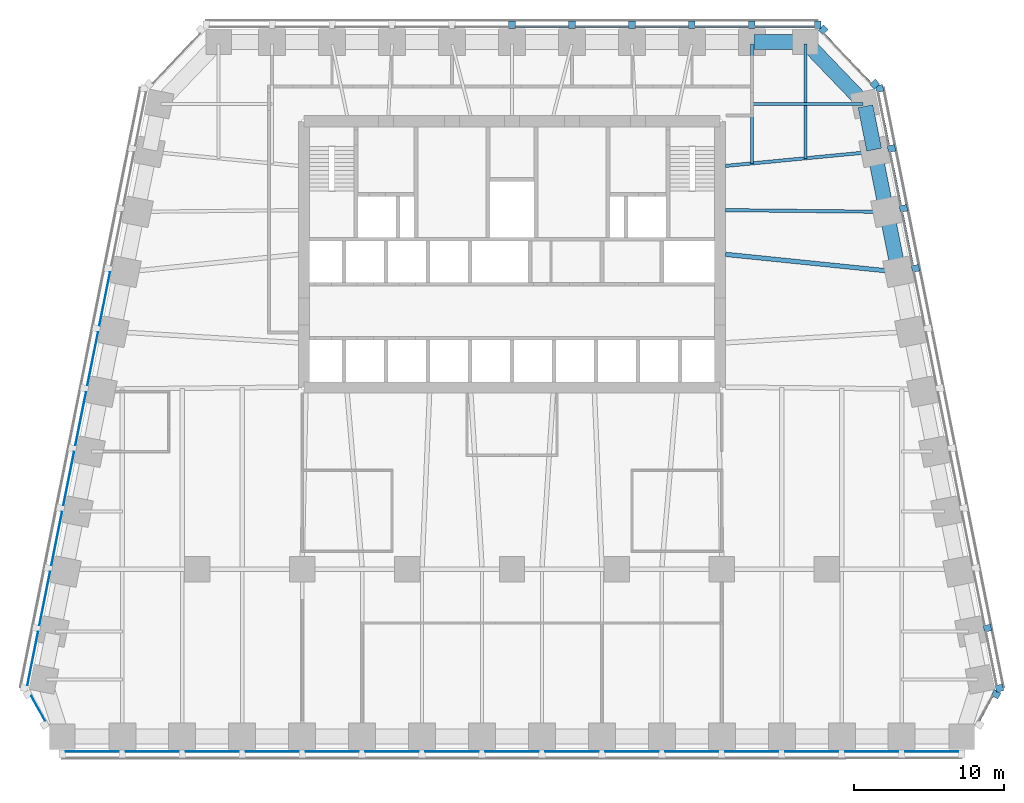
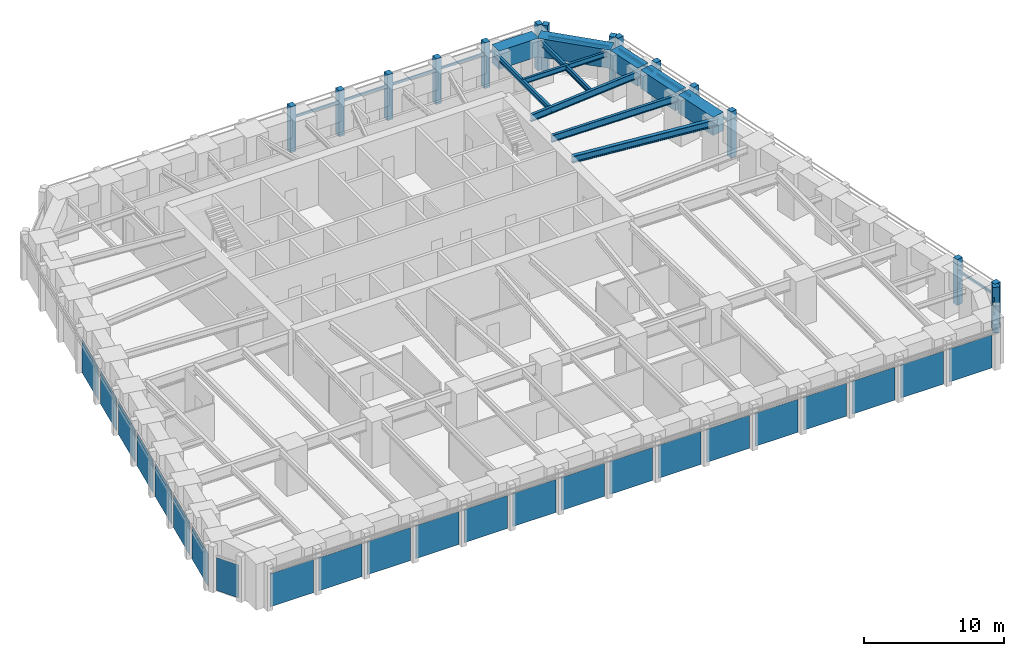
# One storey, part 4 of 9: 26 members, 23 plates, 11 beams, 7 elements without a shape of their own.
"""IFC4 building model written with IfcOpenShell, lengths in metres."""

from ifc_helpers import new_model, si_unit, direction, frame, origin, origin_2d, place, context, subcontext, project, spatial, rectangle, i_section, extrude, material, layer, layer_set, material_profile, profile_set, type_object, element, aggregate, save


model = new_model("IFC4")

# Units and contexts
model_context = context("Model", 3, precision=1e-05, world=origin(), true_north=direction((0.0, 1.0)))
body_context = subcontext(model_context, "Body", "Model", "MODEL_VIEW")
ifc_project = project(units=[si_unit("LENGTHUNIT", "METRE"), si_unit("AREAUNIT", "SQUARE_METRE"), si_unit("VOLUMEUNIT", "CUBIC_METRE"), si_unit("PLANEANGLEUNIT", "RADIAN"), si_unit("MASSUNIT", "GRAM", prefix="KILO")], contexts=[model_context])

# Site, building, storey
site_placement = place(None, origin())
site = spatial("IfcSite", under=ifc_project, at=site_placement, CompositionType="ELEMENT")
building_placement = place(site_placement, origin())
building = spatial("IfcBuilding", under=site, at=building_placement, Name="Isbrekke Arena Tower", CompositionType="ELEMENT")
storey_placement = place(building_placement, frame((0.0, 0.0, 135.0)))
storey = spatial("IfcBuildingStorey", under=building, at=storey_placement, Name="L30", CompositionType="ELEMENT", Elevation=135.0)

# Beams
ifc_material_1 = material(Name="Steel S355", Category="steel")
ifc_material_profile_1 = material_profile(ifc_material_1, i_section(OverallWidth=0.219970703125, OverallDepth=0.60009765625, WebThickness=0.011962890625, FlangeThickness=0.01904296875, FilletRadius=0.02392578125, at=origin_2d()), Name="IPE 600")
ifc_profile_set_1 = profile_set([ifc_material_profile_1], Name="Steel S355")
beam_type_1 = type_object("IfcBeamType", Name="B1 IPE 600", PredefinedType="BEAM", material=ifc_profile_set_1)
beam_1_placement = place(storey_placement, frame((24.83984375, 17.838134765625, 3.550048828125), z_axis=(-0.999944260169, 0.010558245831, 0.0), x_axis=(-0.010558245831, -0.999944260169, 0.0)))
element("IfcBeam", 1, at=beam_1_placement, inside=storey, type_object=beam_type_1, Name="B1 beam E-E09 L30", PredefinedType="BEAM", context=body_context, shape_type="SweptSolid", body=[
    extrude(i_section(OverallWidth=0.219970703125, OverallDepth=0.60009765625, WebThickness=0.011962890625, FlangeThickness=0.01904296875, FilletRadius=0.02392578125, at=origin_2d()), origin(), (0.0, 0.0, 1.0), 10.59033203125),
])
beam_2_placement = place(storey_placement, frame((24.030517578125, 21.837158203125, 3.550048828125), z_axis=(-0.995439798606, -0.095391862082, 0.0), x_axis=(0.095391862082, -0.995439798606, 0.0)))
element("IfcBeam", 2, at=beam_2_placement, inside=storey, type_object=beam_type_1, Name="B1 beam E-E10 L30", PredefinedType="BEAM", context=body_context, shape_type="SweptSolid", body=[
    extrude(i_section(OverallWidth=0.219970703125, OverallDepth=0.60009765625, WebThickness=0.011962890625, FlangeThickness=0.01904296875, FilletRadius=0.02392578125, at=origin_2d()), origin(), (0.0, 0.0, 1.0), 9.825439453125),
])
ifc_material_2 = material(Name="Steel S355", Category="steel")
ifc_material_profile_2 = material_profile(ifc_material_2, i_section(OverallWidth=0.18994140625, OverallDepth=0.449951171875, WebThickness=0.009521484375, FlangeThickness=0.0146484375, FilletRadius=0.02099609375, at=origin_2d()), Name="IPE 450")
ifc_profile_set_2 = profile_set([ifc_material_profile_2], Name="Steel S355")
beam_type_2 = type_object("IfcBeamType", Name="B2 IPE 450", PredefinedType="BEAM", material=ifc_profile_set_2)
beam_3_placement = place(storey_placement, frame((23.40283203125, 25.029296875, 3.625), z_axis=(-1.0, 0.0, 0.0), x_axis=(0.0, -1.0, 0.0)))
element("IfcBeam", 3, at=beam_3_placement, inside=storey, type_object=beam_type_2, Name="B2 beam E-E11 L30", PredefinedType="BEAM", context=body_context, shape_type="SweptSolid", body=[
    extrude(i_section(OverallWidth=0.18994140625, OverallDepth=0.449951171875, WebThickness=0.009521484375, FlangeThickness=0.0146484375, FilletRadius=0.02099609375, at=origin_2d()), origin(), (0.0, 0.0, 1.0), 7.40283203125),
])
ifc_material_3 = material(Name="Steel S355", Category="steel")
ifc_material_profile_3 = material_profile(ifc_material_3, i_section(OverallWidth=0.18994140625, OverallDepth=0.449951171875, WebThickness=0.009521484375, FlangeThickness=0.0146484375, FilletRadius=0.02099609375, at=origin_2d()), Name="IPE 450")
ifc_profile_set_3 = profile_set([ifc_material_profile_3], Name="Steel S355")
beam_type_3 = type_object("IfcBeamType", Name="B3 IPE 450", PredefinedType="BEAM", material=ifc_profile_set_3)
beam_4_placement = place(storey_placement, frame((19.574951171875, 29.02490234375, 3.625), z_axis=(0.0, -1.0, 0.0), x_axis=(1.0, 0.0, 0.0)))
element("IfcBeam", 4, at=beam_4_placement, inside=storey, type_object=beam_type_3, Name="B3 beam N-N01 L30", PredefinedType="BEAM", context=body_context, shape_type="SweptSolid", body=[
    extrude(i_section(OverallWidth=0.18994140625, OverallDepth=0.449951171875, WebThickness=0.009521484375, FlangeThickness=0.0146484375, FilletRadius=0.02099609375, at=origin_2d()), origin(), (0.0, 0.0, 1.0), 7.61474609375),
])
beam_5_placement = place(storey_placement, frame((16.0, 29.02490234375, 3.625), z_axis=(0.0, -1.0, 0.0), x_axis=(1.0, 0.0, 0.0)))
element("IfcBeam", 5, at=beam_5_placement, inside=storey, type_object=beam_type_3, Name="B3 beam N-N02 L30", PredefinedType="BEAM", context=body_context, shape_type="SweptSolid", body=[
    extrude(i_section(OverallWidth=0.18994140625, OverallDepth=0.449951171875, WebThickness=0.009521484375, FlangeThickness=0.0146484375, FilletRadius=0.02099609375, at=origin_2d()), origin(), (0.0, 0.0, 1.0), 7.957275390625),
])
ifc_material_4 = material(Name="Steel S355", Category="steel")
ifc_material_profile_4 = material_profile(ifc_material_4, i_section(OverallWidth=0.300048828125, OverallDepth=0.60009765625, WebThickness=0.015380859375, FlangeThickness=0.030029296875, FilletRadius=0.027099609375, at=origin_2d()), Name="HEB 600")
ifc_profile_set_4 = profile_set([ifc_material_profile_4], Name="Steel S355")
beam_type_4 = type_object("IfcBeamType", Name="B7 HEB 600", PredefinedType="BEAM", material=ifc_profile_set_4)
beam_6_placement = place(storey_placement, frame((25.6259765625, 13.83984375, 3.550048828125), z_axis=(-0.994839949319, 0.10145676537, 0.0), x_axis=(-0.10145676537, -0.994839949319, 0.0)))
element("IfcBeam", 6, at=beam_6_placement, inside=storey, type_object=beam_type_4, Name="B7 beam E-E08 L30", PredefinedType="BEAM", context=body_context, shape_type="SweptSolid", body=[
    extrude(i_section(OverallWidth=0.300048828125, OverallDepth=0.60009765625, WebThickness=0.015380859375, FlangeThickness=0.030029296875, FilletRadius=0.027099609375, at=origin_2d()), origin(), (0.0, 0.0, 1.0), 11.43505859375),
])

# Curtain wall, member
ifc_material_5 = material(Name="Glazed aluminium curtain wall", Category="aluminium")
curtain_wall_type = type_object("IfcCurtainWallType", Name="CWM TOWER CURTAIN WALL MID ZONE", PredefinedType="USERDEFINED", material=ifc_material_5)
curtain_wall_1_placement = place(storey_placement, origin())
curtain_wall_1 = element("IfcCurtainWall", 7, at=curtain_wall_1_placement, inside=storey, type_object=curtain_wall_type, Name="CWM curtain wall L30-SE", ObjectType="TOWER CURTAIN WALL MID ZONE", PredefinedType="USERDEFINED")
ifc_material_6 = material(Name="Aluminium mullion, pale brick slip cladding", Category="masonry")
ifc_material_profile_5 = material_profile(ifc_material_6, rectangle(XDim=0.449951171875, YDim=0.5, at=origin_2d()), Name="PIER 450X500")
ifc_profile_set_5 = profile_set([ifc_material_profile_5], Name="Aluminium mullion, pale brick slip cladding")
member_type_1 = type_object("IfcMemberType", Name="CWM-M PIER MULLION 450 x 500", PredefinedType="MULLION", material=ifc_profile_set_5)
member_1_placement = place(storey_placement, frame((32.296142578125, -14.34375, 0.0), z_axis=(0.0, 0.0, 1.0), x_axis=(0.481918749773, 0.876215908676, 0.0)))
member_1 = element("IfcMember", 8, at=member_1_placement, type_object=member_type_1, Name="CWM-M mullion 2", PredefinedType="MULLION", context=body_context, shape_type="SweptSolid", body=[
    extrude(rectangle(XDim=0.449951171875, YDim=0.5, at=origin_2d()), origin(), (0.0, 0.0, 1.0), 4.0),
])

# Curtain wall, members
curtain_wall_2_placement = place(storey_placement, origin())
curtain_wall_2 = element("IfcCurtainWall", 9, at=curtain_wall_2_placement, inside=storey, type_object=curtain_wall_type, Name="CWM curtain wall L30-E", ObjectType="TOWER CURTAIN WALL MID ZONE", PredefinedType="USERDEFINED")
member_2_placement = place(storey_placement, frame((32.518798828125, -13.936279296875, 0.0), z_axis=(0.0, 0.0, 1.0), x_axis=(-0.196116135138, 0.980580675691, 0.0)))
member_2 = element("IfcMember", 10, at=member_2_placement, type_object=member_type_1, Name="CWM-M mullion 1", PredefinedType="MULLION", context=body_context, shape_type="SweptSolid", body=[
    extrude(rectangle(XDim=0.449951171875, YDim=0.5, at=origin_2d()), origin(), (0.0, 0.0, 1.0), 4.0),
])
member_3_placement = place(storey_placement, frame((31.71875, -9.936279296875, 0.0), z_axis=(0.0, 0.0, 1.0), x_axis=(-0.196116135138, 0.980580675691, 0.0)))
member_3 = element("IfcMember", 11, at=member_3_placement, type_object=member_type_1, Name="CWM-M mullion 2", PredefinedType="MULLION", context=body_context, shape_type="SweptSolid", body=[
    extrude(rectangle(XDim=0.449951171875, YDim=0.5, at=origin_2d()), origin(), (0.0, 0.0, 1.0), 4.0),
])
member_4_placement = place(storey_placement, frame((26.918701171875, 14.063720703125, 0.0), z_axis=(0.0, 0.0, 1.0), x_axis=(-0.196116135138, 0.980580675691, 0.0)))
member_4 = element("IfcMember", 12, at=member_4_placement, type_object=member_type_1, Name="CWM-M mullion 8", PredefinedType="MULLION", context=body_context, shape_type="SweptSolid", body=[
    extrude(rectangle(XDim=0.449951171875, YDim=0.5, at=origin_2d()), origin(), (0.0, 0.0, 1.0), 4.0),
])
member_5_placement = place(storey_placement, frame((26.11865234375, 18.063720703125, 0.0), z_axis=(0.0, 0.0, 1.0), x_axis=(-0.196116135138, 0.980580675691, 0.0)))
member_5 = element("IfcMember", 13, at=member_5_placement, type_object=member_type_1, Name="CWM-M mullion 9", PredefinedType="MULLION", context=body_context, shape_type="SweptSolid", body=[
    extrude(rectangle(XDim=0.449951171875, YDim=0.5, at=origin_2d()), origin(), (0.0, 0.0, 1.0), 4.0),
])
member_6_placement = place(storey_placement, frame((25.318603515625, 22.063720703125, 0.0), z_axis=(0.0, 0.0, 1.0), x_axis=(-0.196116135138, 0.980580675691, 0.0)))
member_6 = element("IfcMember", 14, at=member_6_placement, type_object=member_type_1, Name="CWM-M mullion 10", PredefinedType="MULLION", context=body_context, shape_type="SweptSolid", body=[
    extrude(rectangle(XDim=0.449951171875, YDim=0.5, at=origin_2d()), origin(), (0.0, 0.0, 1.0), 4.0),
])
member_7_placement = place(storey_placement, frame((24.518798828125, 26.063720703125, 0.0), z_axis=(0.0, 0.0, 1.0), x_axis=(-0.196116135138, 0.980580675691, 0.0)))
member_7 = element("IfcMember", 15, at=member_7_placement, type_object=member_type_1, Name="CWM-M mullion 11", PredefinedType="MULLION", context=body_context, shape_type="SweptSolid", body=[
    extrude(rectangle(XDim=0.449951171875, YDim=0.5, at=origin_2d()), origin(), (0.0, 0.0, 1.0), 4.0),
])

curtain_wall_3_placement = place(storey_placement, origin())
curtain_wall_3 = element("IfcCurtainWall", 16, at=curtain_wall_3_placement, inside=storey, type_object=curtain_wall_type, Name="CWM curtain wall L30-EN", ObjectType="TOWER CURTAIN WALL MID ZONE", PredefinedType="USERDEFINED")
member_8_placement = place(storey_placement, frame((24.208251953125, 26.354248046875, 0.0), z_axis=(0.0, 0.0, 1.0), x_axis=(-0.68874946192, 0.72499943359, 0.0)))
member_8 = element("IfcMember", 17, at=member_8_placement, type_object=member_type_1, Name="CWM-M mullion 1", PredefinedType="MULLION", context=body_context, shape_type="SweptSolid", body=[
    extrude(rectangle(XDim=0.449951171875, YDim=0.5, at=origin_2d()), origin(), (0.0, 0.0, 1.0), 4.0),
])
member_9_placement = place(storey_placement, frame((20.7587890625, 29.9853515625, 0.0), z_axis=(0.0, 0.0, 1.0), x_axis=(-0.68874946192, 0.72499943359, 0.0)))
member_9 = element("IfcMember", 18, at=member_9_placement, type_object=member_type_1, Name="CWM-M mullion 2", PredefinedType="MULLION", context=body_context, shape_type="SweptSolid", body=[
    extrude(rectangle(XDim=0.449951171875, YDim=0.5, at=origin_2d()), origin(), (0.0, 0.0, 1.0), 4.0),
])

curtain_wall_4_placement = place(storey_placement, origin())
curtain_wall_4 = element("IfcCurtainWall", 19, at=curtain_wall_4_placement, inside=storey, type_object=curtain_wall_type, Name="CWM curtain wall L30-N", ObjectType="TOWER CURTAIN WALL MID ZONE", PredefinedType="USERDEFINED")
member_10_placement = place(storey_placement, frame((20.39990234375, 30.324951171875, 0.0), z_axis=(0.0, 0.0, 1.0), x_axis=(-1.0, 0.0, 0.0)))
member_10 = element("IfcMember", 20, at=member_10_placement, type_object=member_type_1, Name="CWM-M mullion 1", PredefinedType="MULLION", context=body_context, shape_type="SweptSolid", body=[
    extrude(rectangle(XDim=0.449951171875, YDim=0.5, at=origin_2d()), origin(), (0.0, 0.0, 1.0), 4.0),
])
member_11_placement = place(storey_placement, frame((16.0, 30.324951171875, 0.0), z_axis=(0.0, 0.0, 1.0), x_axis=(-1.0, 0.0, 0.0)))
member_11 = element("IfcMember", 21, at=member_11_placement, type_object=member_type_1, Name="CWM-M mullion 2", PredefinedType="MULLION", context=body_context, shape_type="SweptSolid", body=[
    extrude(rectangle(XDim=0.449951171875, YDim=0.5, at=origin_2d()), origin(), (0.0, 0.0, 1.0), 4.0),
])
member_12_placement = place(storey_placement, frame((12.0, 30.324951171875, 0.0), z_axis=(0.0, 0.0, 1.0), x_axis=(-1.0, 0.0, 0.0)))
member_12 = element("IfcMember", 22, at=member_12_placement, type_object=member_type_1, Name="CWM-M mullion 3", PredefinedType="MULLION", context=body_context, shape_type="SweptSolid", body=[
    extrude(rectangle(XDim=0.449951171875, YDim=0.5, at=origin_2d()), origin(), (0.0, 0.0, 1.0), 4.0),
])
member_13_placement = place(storey_placement, frame((8.0, 30.324951171875, 0.0), z_axis=(0.0, 0.0, 1.0), x_axis=(-1.0, 0.0, 0.0)))
member_13 = element("IfcMember", 23, at=member_13_placement, type_object=member_type_1, Name="CWM-M mullion 4", PredefinedType="MULLION", context=body_context, shape_type="SweptSolid", body=[
    extrude(rectangle(XDim=0.449951171875, YDim=0.5, at=origin_2d()), origin(), (0.0, 0.0, 1.0), 4.0),
])
member_14_placement = place(storey_placement, frame((4.0, 30.324951171875, 0.0), z_axis=(0.0, 0.0, 1.0), x_axis=(-1.0, 0.0, 0.0)))
member_14 = element("IfcMember", 24, at=member_14_placement, type_object=member_type_1, Name="CWM-M mullion 5", PredefinedType="MULLION", context=body_context, shape_type="SweptSolid", body=[
    extrude(rectangle(XDim=0.449951171875, YDim=0.5, at=origin_2d()), origin(), (0.0, 0.0, 1.0), 4.0),
])
member_15_placement = place(storey_placement, frame((0.0, 30.324951171875, 0.0), z_axis=(0.0, 0.0, 1.0), x_axis=(-1.0, 0.0, 0.0)))
member_15 = element("IfcMember", 25, at=member_15_placement, type_object=member_type_1, Name="CWM-M mullion 6", PredefinedType="MULLION", context=body_context, shape_type="SweptSolid", body=[
    extrude(rectangle(XDim=0.449951171875, YDim=0.5, at=origin_2d()), origin(), (0.0, 0.0, 1.0), 4.0),
])

# Member
ifc_material_7 = material(Name="Aluminium transom", Category="aluminium")
ifc_material_profile_6 = material_profile(ifc_material_7, rectangle(XDim=0.1201171875, YDim=0.199951171875, at=origin_2d()), Name="TRANSOM 120X200")
ifc_profile_set_6 = profile_set([ifc_material_profile_6], Name="Aluminium transom")
member_type_2 = type_object("IfcMemberType", Name="CWM-T TRANSOM 120 x 200", PredefinedType="USERDEFINED", material=ifc_profile_set_6)
member_16_placement = place(storey_placement, frame((31.152099609375, -16.112548828125, 3.0), z_axis=(0.482003669577, 0.876169197424, 0.0), x_axis=(-0.876169197424, 0.482003669577, 0.0)))
member_16 = element("IfcMember", 26, at=member_16_placement, type_object=member_type_2, Name="CWM-T transom 1", ObjectType="TRANSOM", PredefinedType="USERDEFINED", context=body_context, shape_type="SweptSolid", body=[
    extrude(rectangle(XDim=0.1201171875, YDim=0.199951171875, at=origin_2d()), origin(), (0.0, 0.0, 1.0), 1.876220703125),
])

aggregate(curtain_wall_1, [member_1, member_16])

member_17_placement = place(storey_placement, frame((32.327392578125, -13.7451171875, 3.0), z_axis=(-0.196090262229, 0.980585849918, 0.0), x_axis=(-0.980585849918, -0.196090262229, 0.0)))
member_17 = element("IfcMember", 27, at=member_17_placement, type_object=member_type_2, Name="CWM-T transom 1", ObjectType="TRANSOM", PredefinedType="USERDEFINED", context=body_context, shape_type="SweptSolid", body=[
    extrude(rectangle(XDim=0.1201171875, YDim=0.199951171875, at=origin_2d()), origin(), (0.0, 0.0, 1.0), 3.62939453125),
])

member_18_placement = place(storey_placement, frame((26.7275390625, 14.2548828125, 3.0), z_axis=(-0.196154943734, 0.980572913173, 0.0), x_axis=(-0.980572913173, -0.196154943734, 0.0)))
member_18 = element("IfcMember", 28, at=member_18_placement, type_object=member_type_2, Name="CWM-T transom 8", ObjectType="TRANSOM", PredefinedType="USERDEFINED", context=body_context, shape_type="SweptSolid", body=[
    extrude(rectangle(XDim=0.1201171875, YDim=0.199951171875, at=origin_2d()), origin(), (0.0, 0.0, 1.0), 3.62939453125),
])

member_19_placement = place(storey_placement, frame((25.927490234375, 18.2548828125, 3.0), z_axis=(-0.196090262229, 0.980585849918, 0.0), x_axis=(-0.980585849918, -0.196090262229, 0.0)))
member_19 = element("IfcMember", 29, at=member_19_placement, type_object=member_type_2, Name="CWM-T transom 9", ObjectType="TRANSOM", PredefinedType="USERDEFINED", context=body_context, shape_type="SweptSolid", body=[
    extrude(rectangle(XDim=0.1201171875, YDim=0.199951171875, at=origin_2d()), origin(), (0.0, 0.0, 1.0), 3.62939453125),
])

member_20_placement = place(storey_placement, frame((25.12744140625, 22.2548828125, 3.0), z_axis=(-0.196090262229, 0.980585849918, 0.0), x_axis=(-0.980585849918, -0.196090262229, 0.0)))
member_20 = element("IfcMember", 30, at=member_20_placement, type_object=member_type_2, Name="CWM-T transom 10", ObjectType="TRANSOM", PredefinedType="USERDEFINED", context=body_context, shape_type="SweptSolid", body=[
    extrude(rectangle(XDim=0.1201171875, YDim=0.199951171875, at=origin_2d()), origin(), (0.0, 0.0, 1.0), 3.62939453125),
])

aggregate(curtain_wall_2, [member_2, member_3, member_4, member_5, member_6, member_7, member_17, member_18, member_19, member_20])

member_21_placement = place(storey_placement, frame((23.944580078125, 26.4140625, 3.0), z_axis=(-0.688771983213, 0.724978037696, 0.0), x_axis=(-0.724978037696, -0.688771983213, 0.0)))
member_21 = element("IfcMember", 31, at=member_21_placement, type_object=member_type_2, Name="CWM-T transom 1", ObjectType="TRANSOM", PredefinedType="USERDEFINED", context=body_context, shape_type="SweptSolid", body=[
    extrude(rectangle(XDim=0.1201171875, YDim=0.199951171875, at=origin_2d()), origin(), (0.0, 0.0, 1.0), 4.558349609375),
])

aggregate(curtain_wall_3, [member_8, member_9, member_21])

member_22_placement = place(storey_placement, frame((20.175048828125, 30.175048828125, 3.0), z_axis=(-1.0, 0.0, 0.0), x_axis=(0.0, -1.0, 0.0)))
member_22 = element("IfcMember", 32, at=member_22_placement, type_object=member_type_2, Name="CWM-T transom 1", ObjectType="TRANSOM", PredefinedType="USERDEFINED", context=body_context, shape_type="SweptSolid", body=[
    extrude(rectangle(XDim=0.1201171875, YDim=0.199951171875, at=origin_2d()), origin(), (0.0, 0.0, 1.0), 3.949951171875),
])

member_23_placement = place(storey_placement, frame((15.77490234375, 30.175048828125, 3.0), z_axis=(-1.0, 0.0, 0.0), x_axis=(0.0, -1.0, 0.0)))
member_23 = element("IfcMember", 33, at=member_23_placement, type_object=member_type_2, Name="CWM-T transom 2", ObjectType="TRANSOM", PredefinedType="USERDEFINED", context=body_context, shape_type="SweptSolid", body=[
    extrude(rectangle(XDim=0.1201171875, YDim=0.199951171875, at=origin_2d()), origin(), (0.0, 0.0, 1.0), 3.5498046875),
])

member_24_placement = place(storey_placement, frame((11.77490234375, 30.175048828125, 3.0), z_axis=(-1.0, 0.0, 0.0), x_axis=(0.0, -1.0, 0.0)))
member_24 = element("IfcMember", 34, at=member_24_placement, type_object=member_type_2, Name="CWM-T transom 3", ObjectType="TRANSOM", PredefinedType="USERDEFINED", context=body_context, shape_type="SweptSolid", body=[
    extrude(rectangle(XDim=0.1201171875, YDim=0.199951171875, at=origin_2d()), origin(), (0.0, 0.0, 1.0), 3.5498046875),
])

member_25_placement = place(storey_placement, frame((7.77490234375, 30.175048828125, 3.0), z_axis=(-1.0, 0.0, 0.0), x_axis=(0.0, -1.0, 0.0)))
member_25 = element("IfcMember", 35, at=member_25_placement, type_object=member_type_2, Name="CWM-T transom 4", ObjectType="TRANSOM", PredefinedType="USERDEFINED", context=body_context, shape_type="SweptSolid", body=[
    extrude(rectangle(XDim=0.1201171875, YDim=0.199951171875, at=origin_2d()), origin(), (0.0, 0.0, 1.0), 3.5498046875),
])

member_26_placement = place(storey_placement, frame((3.77490234375, 30.175048828125, 3.0), z_axis=(-1.0, 0.0, 0.0), x_axis=(0.0, -1.0, 0.0)))
member_26 = element("IfcMember", 36, at=member_26_placement, type_object=member_type_2, Name="CWM-T transom 5", ObjectType="TRANSOM", PredefinedType="USERDEFINED", context=body_context, shape_type="SweptSolid", body=[
    extrude(rectangle(XDim=0.1201171875, YDim=0.199951171875, at=origin_2d()), origin(), (0.0, 0.0, 1.0), 3.5498046875),
])

aggregate(curtain_wall_4, [member_10, member_11, member_12, member_13, member_14, member_15, member_22, member_23, member_24, member_25, member_26])

# Beams
ifc_material_8 = material(Name="Concrete B80 (C80/95)", Category="concrete")
ifc_material_profile_7 = material_profile(ifc_material_8, rectangle(XDim=1.0, YDim=1.60009765625, at=origin_2d()), Name="RC 1000x1600")
ifc_profile_set_7 = profile_set([ifc_material_profile_7], Name="Concrete B80 (C80/95)")
beam_type_5 = type_object("IfcBeamType", Name="SB2 RC 1000 x 1600", PredefinedType="SPANDREL", material=ifc_profile_set_7)
for number, where, z_axis, x_axis, name in (
    (37, (25.76171875, 13.9853515625, 3.199951171875), (-0.196128558387, 0.980578190959, 0.0), (-0.980578190959, -0.196128558387, 0.0), "SB2 spandrel E08-E09 L30"),
    (38, (24.961669921875, 17.9853515625, 3.199951171875), (-0.196128558387, 0.980578190959, 0.0), (-0.980578190959, -0.196128558387, 0.0), "SB2 spandrel E09-E10 L30"),
):
    element("IfcBeam", number, at=place(storey_placement, frame(where, z_axis=z_axis, x_axis=x_axis)), inside=storey, type_object=beam_type_5, Name=name, PredefinedType="SPANDREL", context=body_context, shape_type="SweptSolid", body=[
        extrude(rectangle(XDim=1.0, YDim=1.60009765625, at=origin_2d()), origin(), (0.0, 0.0, 1.0), 3.779296875),
    ])
beam_7_placement = place(storey_placement, frame((24.16162109375, 21.9853515625, 3.199951171875), z_axis=(-0.196116135138, 0.980580675691, 0.0), x_axis=(-0.980580675691, -0.196116135138, 0.0)))
element("IfcBeam", 39, at=beam_7_placement, inside=storey, type_object=beam_type_5, Name="SB2 spandrel E10-E11 L30", PredefinedType="SPANDREL", context=body_context, shape_type="SweptSolid", body=[
    extrude(rectangle(XDim=1.0, YDim=1.60009765625, at=origin_2d()), origin(), (0.0, 0.0, 1.0), 2.9541015625),
])
beam_8_placement = place(storey_placement, frame((23.448974609375, 25.137451171875, 3.199951171875), z_axis=(-0.692339547635, 0.721571861134, 0.0), x_axis=(-0.721571861134, -0.692339547635, 0.0)))
element("IfcBeam", 40, at=beam_8_placement, inside=storey, type_object=beam_type_5, Name="SB2 spandrel E11-N01 L30", PredefinedType="SPANDREL", context=body_context, shape_type="SweptSolid", body=[
    extrude(rectangle(XDim=1.0, YDim=1.60009765625, at=origin_2d()), origin(), (0.0, 0.0, 1.0), 5.4453125),
])
beam_9_placement = place(storey_placement, frame((19.425048828125, 29.175048828125, 3.199951171875), z_axis=(-1.0, 0.0, 0.0), x_axis=(0.0, -1.0, 0.0)))
element("IfcBeam", 41, at=beam_9_placement, inside=storey, type_object=beam_type_5, Name="SB2 spandrel N01-N02 L30", PredefinedType="SPANDREL", context=body_context, shape_type="SweptSolid", body=[
    extrude(rectangle(XDim=1.0, YDim=1.60009765625, at=origin_2d()), origin(), (0.0, 0.0, 1.0), 3.275146484375),
])

# Curtain wall, plates
curtain_wall_5_placement = place(storey_placement, origin())
curtain_wall_5 = element("IfcCurtainWall", 42, at=curtain_wall_5_placement, inside=storey, type_object=curtain_wall_type, Name="CWM curtain wall L30-S", ObjectType="TOWER CURTAIN WALL MID ZONE", PredefinedType="USERDEFINED")
ifc_material_9 = material(Name="Triple-glazed clear glass unit", Category="glass")
ifc_layer = layer(ifc_material_9, 0.031982421875)
ifc_layer_set = layer_set([ifc_layer], Name="CWM-P VISION PANEL")
plate_type = type_object("IfcPlateType", Name="CWM-P VISION PANEL", PredefinedType="CURTAIN_PANEL", material=ifc_layer_set)
plate_1_placement = place(storey_placement, frame((-28.0, -18.175048828125, 0.02001953125), z_axis=(0.0, 0.0, 1.0), x_axis=(1.0, 0.0, 0.0)))
plate_1 = element("IfcPlate", 43, at=plate_1_placement, type_object=plate_type, Name="CWM-P panel 1", PredefinedType="CURTAIN_PANEL", context=body_context, shape_type="SweptSolid", body=[
    extrude(rectangle(XDim=3.550048828125, YDim=0.031982421875, at=origin_2d()), origin(), (0.0, 0.0, 1.0), 2.8798828125),
])
plate_2_placement = place(storey_placement, frame((-24.0, -18.175048828125, 0.02001953125), z_axis=(0.0, 0.0, 1.0), x_axis=(1.0, 0.0, 0.0)))
plate_2 = element("IfcPlate", 44, at=plate_2_placement, type_object=plate_type, Name="CWM-P panel 2", PredefinedType="CURTAIN_PANEL", context=body_context, shape_type="SweptSolid", body=[
    extrude(rectangle(XDim=3.550048828125, YDim=0.031982421875, at=origin_2d()), origin(), (0.0, 0.0, 1.0), 2.8798828125),
])
plate_3_placement = place(storey_placement, frame((-20.0, -18.175048828125, 0.02001953125), z_axis=(0.0, 0.0, 1.0), x_axis=(1.0, 0.0, 0.0)))
plate_3 = element("IfcPlate", 45, at=plate_3_placement, type_object=plate_type, Name="CWM-P panel 3", PredefinedType="CURTAIN_PANEL", context=body_context, shape_type="SweptSolid", body=[
    extrude(rectangle(XDim=3.550048828125, YDim=0.031982421875, at=origin_2d()), origin(), (0.0, 0.0, 1.0), 2.8798828125),
])
plate_4_placement = place(storey_placement, frame((-16.0, -18.175048828125, 0.02001953125), z_axis=(0.0, 0.0, 1.0), x_axis=(1.0, 0.0, 0.0)))
plate_4 = element("IfcPlate", 46, at=plate_4_placement, type_object=plate_type, Name="CWM-P panel 4", PredefinedType="CURTAIN_PANEL", context=body_context, shape_type="SweptSolid", body=[
    extrude(rectangle(XDim=3.550048828125, YDim=0.031982421875, at=origin_2d()), origin(), (0.0, 0.0, 1.0), 2.8798828125),
])
plate_5_placement = place(storey_placement, frame((-12.0, -18.175048828125, 0.02001953125), z_axis=(0.0, 0.0, 1.0), x_axis=(1.0, 0.0, 0.0)))
plate_5 = element("IfcPlate", 47, at=plate_5_placement, type_object=plate_type, Name="CWM-P panel 5", PredefinedType="CURTAIN_PANEL", context=body_context, shape_type="SweptSolid", body=[
    extrude(rectangle(XDim=3.550048828125, YDim=0.031982421875, at=origin_2d()), origin(), (0.0, 0.0, 1.0), 2.8798828125),
])
plate_6_placement = place(storey_placement, frame((-8.0, -18.175048828125, 0.02001953125), z_axis=(0.0, 0.0, 1.0), x_axis=(1.0, 0.0, 0.0)))
plate_6 = element("IfcPlate", 48, at=plate_6_placement, type_object=plate_type, Name="CWM-P panel 6", PredefinedType="CURTAIN_PANEL", context=body_context, shape_type="SweptSolid", body=[
    extrude(rectangle(XDim=3.550048828125, YDim=0.031982421875, at=origin_2d()), origin(), (0.0, 0.0, 1.0), 2.8798828125),
])
plate_7_placement = place(storey_placement, frame((-4.0, -18.175048828125, 0.02001953125), z_axis=(0.0, 0.0, 1.0), x_axis=(1.0, 0.0, 0.0)))
plate_7 = element("IfcPlate", 49, at=plate_7_placement, type_object=plate_type, Name="CWM-P panel 7", PredefinedType="CURTAIN_PANEL", context=body_context, shape_type="SweptSolid", body=[
    extrude(rectangle(XDim=3.550048828125, YDim=0.031982421875, at=origin_2d()), origin(), (0.0, 0.0, 1.0), 2.8798828125),
])
plate_8_placement = place(storey_placement, frame((0.0, -18.175048828125, 0.02001953125), z_axis=(0.0, 0.0, 1.0), x_axis=(1.0, 0.0, 0.0)))
plate_8 = element("IfcPlate", 50, at=plate_8_placement, type_object=plate_type, Name="CWM-P panel 8", PredefinedType="CURTAIN_PANEL", context=body_context, shape_type="SweptSolid", body=[
    extrude(rectangle(XDim=3.550048828125, YDim=0.031982421875, at=origin_2d()), origin(), (0.0, 0.0, 1.0), 2.8798828125),
])
plate_9_placement = place(storey_placement, frame((4.0, -18.175048828125, 0.02001953125), z_axis=(0.0, 0.0, 1.0), x_axis=(1.0, 0.0, 0.0)))
plate_9 = element("IfcPlate", 51, at=plate_9_placement, type_object=plate_type, Name="CWM-P panel 9", PredefinedType="CURTAIN_PANEL", context=body_context, shape_type="SweptSolid", body=[
    extrude(rectangle(XDim=3.550048828125, YDim=0.031982421875, at=origin_2d()), origin(), (0.0, 0.0, 1.0), 2.8798828125),
])
plate_10_placement = place(storey_placement, frame((8.0, -18.175048828125, 0.02001953125), z_axis=(0.0, 0.0, 1.0), x_axis=(1.0, 0.0, 0.0)))
plate_10 = element("IfcPlate", 52, at=plate_10_placement, type_object=plate_type, Name="CWM-P panel 10", PredefinedType="CURTAIN_PANEL", context=body_context, shape_type="SweptSolid", body=[
    extrude(rectangle(XDim=3.550048828125, YDim=0.031982421875, at=origin_2d()), origin(), (0.0, 0.0, 1.0), 2.8798828125),
])
plate_11_placement = place(storey_placement, frame((12.0, -18.175048828125, 0.02001953125), z_axis=(0.0, 0.0, 1.0), x_axis=(1.0, 0.0, 0.0)))
plate_11 = element("IfcPlate", 53, at=plate_11_placement, type_object=plate_type, Name="CWM-P panel 11", PredefinedType="CURTAIN_PANEL", context=body_context, shape_type="SweptSolid", body=[
    extrude(rectangle(XDim=3.550048828125, YDim=0.031982421875, at=origin_2d()), origin(), (0.0, 0.0, 1.0), 2.8798828125),
])
plate_12_placement = place(storey_placement, frame((16.0, -18.175048828125, 0.02001953125), z_axis=(0.0, 0.0, 1.0), x_axis=(1.0, 0.0, 0.0)))
plate_12 = element("IfcPlate", 54, at=plate_12_placement, type_object=plate_type, Name="CWM-P panel 12", PredefinedType="CURTAIN_PANEL", context=body_context, shape_type="SweptSolid", body=[
    extrude(rectangle(XDim=3.550048828125, YDim=0.031982421875, at=origin_2d()), origin(), (0.0, 0.0, 1.0), 2.8798828125),
])
plate_13_placement = place(storey_placement, frame((20.0, -18.175048828125, 0.02001953125), z_axis=(0.0, 0.0, 1.0), x_axis=(1.0, 0.0, 0.0)))
plate_13 = element("IfcPlate", 55, at=plate_13_placement, type_object=plate_type, Name="CWM-P panel 13", PredefinedType="CURTAIN_PANEL", context=body_context, shape_type="SweptSolid", body=[
    extrude(rectangle(XDim=3.550048828125, YDim=0.031982421875, at=origin_2d()), origin(), (0.0, 0.0, 1.0), 2.8798828125),
])
plate_14_placement = place(storey_placement, frame((24.0, -18.175048828125, 0.02001953125), z_axis=(0.0, 0.0, 1.0), x_axis=(1.0, 0.0, 0.0)))
plate_14 = element("IfcPlate", 56, at=plate_14_placement, type_object=plate_type, Name="CWM-P panel 14", PredefinedType="CURTAIN_PANEL", context=body_context, shape_type="SweptSolid", body=[
    extrude(rectangle(XDim=3.550048828125, YDim=0.031982421875, at=origin_2d()), origin(), (0.0, 0.0, 1.0), 2.8798828125),
])
plate_15_placement = place(storey_placement, frame((28.0, -18.175048828125, 0.02001953125), z_axis=(0.0, 0.0, 1.0), x_axis=(1.0, 0.0, 0.0)))
plate_15 = element("IfcPlate", 57, at=plate_15_placement, type_object=plate_type, Name="CWM-P panel 15", PredefinedType="CURTAIN_PANEL", context=body_context, shape_type="SweptSolid", body=[
    extrude(rectangle(XDim=3.550048828125, YDim=0.031982421875, at=origin_2d()), origin(), (0.0, 0.0, 1.0), 2.8798828125),
])
aggregate(curtain_wall_5, [plate_1, plate_2, plate_3, plate_4, plate_5, plate_6, plate_7, plate_8, plate_9, plate_10, plate_11, plate_12, plate_13, plate_14, plate_15])

curtain_wall_6_placement = place(storey_placement, origin())
curtain_wall_6 = element("IfcCurtainWall", 58, at=curtain_wall_6_placement, inside=storey, type_object=curtain_wall_type, Name="CWM curtain wall L30-W", ObjectType="TOWER CURTAIN WALL MID ZONE", PredefinedType="USERDEFINED")
plate_16_placement = place(storey_placement, frame((-27.171630859375, 12.034423828125, 0.02001953125), z_axis=(0.0, 0.0, 1.0), x_axis=(-0.196116135138, -0.980580675691, 0.0)))
plate_16 = element("IfcPlate", 59, at=plate_16_placement, type_object=plate_type, Name="CWM-P panel 4", PredefinedType="CURTAIN_PANEL", context=body_context, shape_type="SweptSolid", body=[
    extrude(rectangle(XDim=3.629150390625, YDim=0.031982421875, at=origin_2d()), origin(), (0.0, 0.0, 1.0), 2.8798828125),
])
plate_17_placement = place(storey_placement, frame((-27.9716796875, 8.034423828125, 0.02001953125), z_axis=(0.0, 0.0, 1.0), x_axis=(-0.196116135138, -0.980580675691, 0.0)))
plate_17 = element("IfcPlate", 60, at=plate_17_placement, type_object=plate_type, Name="CWM-P panel 5", PredefinedType="CURTAIN_PANEL", context=body_context, shape_type="SweptSolid", body=[
    extrude(rectangle(XDim=3.629150390625, YDim=0.031982421875, at=origin_2d()), origin(), (0.0, 0.0, 1.0), 2.8798828125),
])
plate_18_placement = place(storey_placement, frame((-28.771484375, 4.034423828125, 0.02001953125), z_axis=(0.0, 0.0, 1.0), x_axis=(-0.196116135138, -0.980580675691, 0.0)))
plate_18 = element("IfcPlate", 61, at=plate_18_placement, type_object=plate_type, Name="CWM-P panel 6", PredefinedType="CURTAIN_PANEL", context=body_context, shape_type="SweptSolid", body=[
    extrude(rectangle(XDim=3.629150390625, YDim=0.031982421875, at=origin_2d()), origin(), (0.0, 0.0, 1.0), 2.8798828125),
])
plate_19_placement = place(storey_placement, frame((-29.571533203125, 0.034423828125, 0.02001953125), z_axis=(0.0, 0.0, 1.0), x_axis=(-0.196116135138, -0.980580675691, 0.0)))
plate_19 = element("IfcPlate", 62, at=plate_19_placement, type_object=plate_type, Name="CWM-P panel 7", PredefinedType="CURTAIN_PANEL", context=body_context, shape_type="SweptSolid", body=[
    extrude(rectangle(XDim=3.629150390625, YDim=0.031982421875, at=origin_2d()), origin(), (0.0, 0.0, 1.0), 2.8798828125),
])
plate_20_placement = place(storey_placement, frame((-30.37158203125, -3.965576171875, 0.02001953125), z_axis=(0.0, 0.0, 1.0), x_axis=(-0.196116135138, -0.980580675691, 0.0)))
plate_20 = element("IfcPlate", 63, at=plate_20_placement, type_object=plate_type, Name="CWM-P panel 8", PredefinedType="CURTAIN_PANEL", context=body_context, shape_type="SweptSolid", body=[
    extrude(rectangle(XDim=3.629150390625, YDim=0.031982421875, at=origin_2d()), origin(), (0.0, 0.0, 1.0), 2.8798828125),
])
plate_21_placement = place(storey_placement, frame((-31.171630859375, -7.965576171875, 0.02001953125), z_axis=(0.0, 0.0, 1.0), x_axis=(-0.196116135138, -0.980580675691, 0.0)))
plate_21 = element("IfcPlate", 64, at=plate_21_placement, type_object=plate_type, Name="CWM-P panel 9", PredefinedType="CURTAIN_PANEL", context=body_context, shape_type="SweptSolid", body=[
    extrude(rectangle(XDim=3.629150390625, YDim=0.031982421875, at=origin_2d()), origin(), (0.0, 0.0, 1.0), 2.8798828125),
])
plate_22_placement = place(storey_placement, frame((-31.9716796875, -11.965576171875, 0.02001953125), z_axis=(0.0, 0.0, 1.0), x_axis=(-0.196116135138, -0.980580675691, 0.0)))
plate_22 = element("IfcPlate", 65, at=plate_22_placement, type_object=plate_type, Name="CWM-P panel 10", PredefinedType="CURTAIN_PANEL", context=body_context, shape_type="SweptSolid", body=[
    extrude(rectangle(XDim=3.629150390625, YDim=0.031982421875, at=origin_2d()), origin(), (0.0, 0.0, 1.0), 2.8798828125),
])
aggregate(curtain_wall_6, [plate_16, plate_17, plate_18, plate_19, plate_20, plate_21, plate_22])

# Curtain wall, plate
curtain_wall_7_placement = place(storey_placement, origin())
curtain_wall_7 = element("IfcCurtainWall", 66, at=curtain_wall_7_placement, inside=storey, type_object=curtain_wall_type, Name="CWM curtain wall L30-WS", ObjectType="TOWER CURTAIN WALL MID ZONE", PredefinedType="USERDEFINED")
plate_23_placement = place(storey_placement, frame((-31.60400390625, -15.291015625, 0.02001953125), z_axis=(0.0, 0.0, 1.0), x_axis=(0.481918749773, -0.876215908676, 0.0)))
plate_23 = element("IfcPlate", 67, at=plate_23_placement, type_object=plate_type, Name="CWM-P panel 1", PredefinedType="CURTAIN_PANEL", context=body_context, shape_type="SweptSolid", body=[
    extrude(rectangle(XDim=1.878173828125, YDim=0.031982421875, at=origin_2d()), origin(), (0.0, 0.0, 1.0), 2.8798828125),
])
aggregate(curtain_wall_7, [plate_23])

save(model, "model.ifc")
